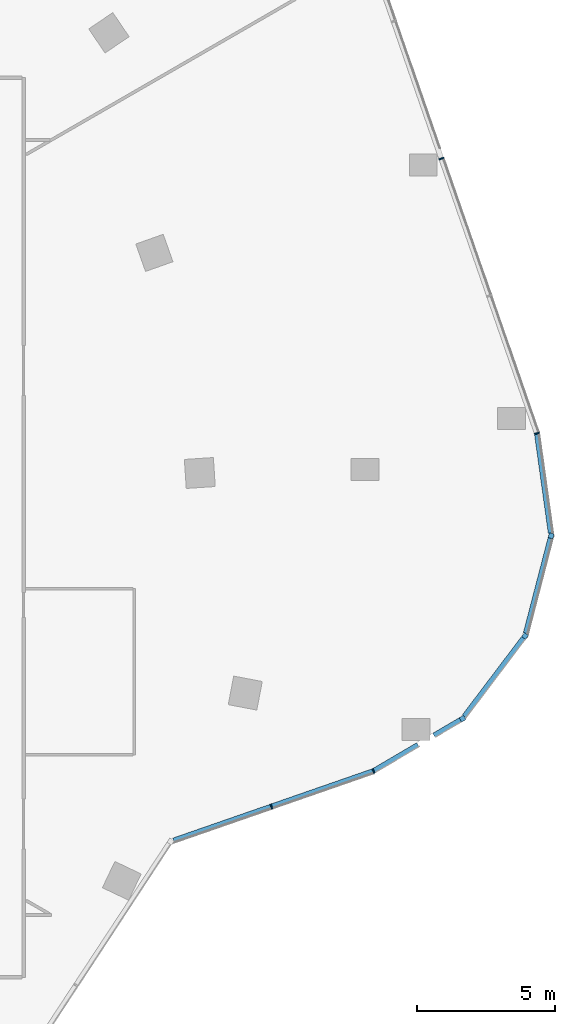
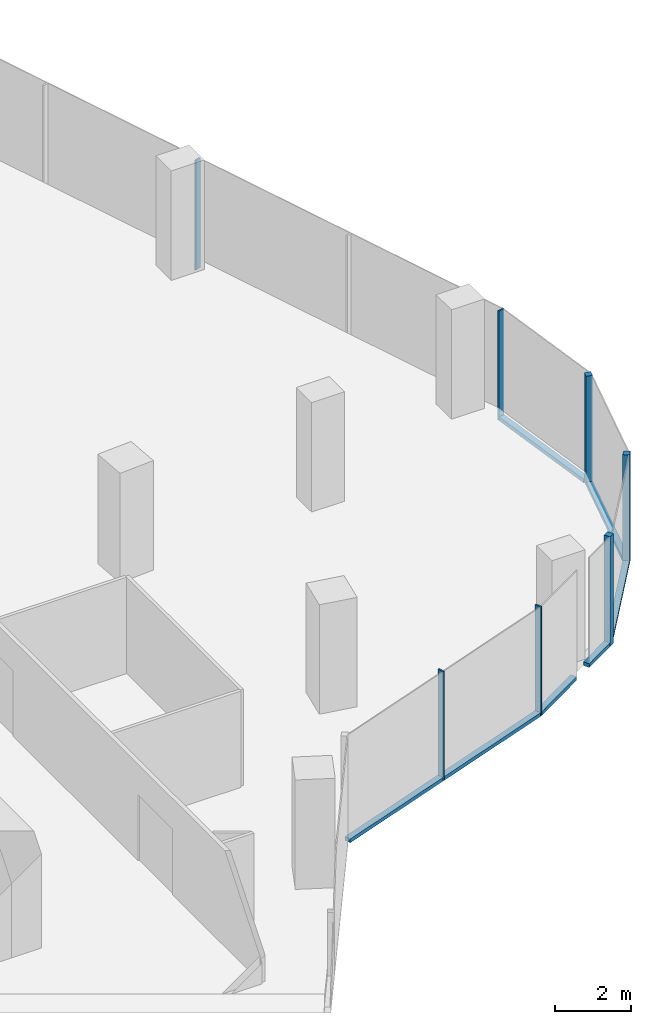
# One storey, part 8 of 24: 13 members, 6 elements without a shape of their own.
"""IFC4 building model written with IfcOpenShell, lengths in metres."""

from ifc_helpers import new_model, si_unit, direction, frame, origin, origin_2d, place, context, subcontext, project, spatial, rectangle, extrude, material, material_profile, profile_set, type_object, element, aggregate, save


model = new_model("IFC4")

# Units and contexts
model_context = context("Model", 3, precision=1e-05, world=origin(), true_north=direction((0.0, 1.0)))
body_context = subcontext(model_context, "Body", "Model", "MODEL_VIEW")
ifc_project = project(units=[si_unit("LENGTHUNIT", "METRE"), si_unit("AREAUNIT", "SQUARE_METRE"), si_unit("VOLUMEUNIT", "CUBIC_METRE"), si_unit("PLANEANGLEUNIT", "RADIAN"), si_unit("MASSUNIT", "GRAM", prefix="KILO")], contexts=[model_context])

# Site, building, storey
site_placement = place(None, origin())
site = spatial("IfcSite", under=ifc_project, at=site_placement, CompositionType="ELEMENT")
building_placement = place(site_placement, origin())
building = spatial("IfcBuilding", under=site, at=building_placement, Name="Orlundy Tower", CompositionType="ELEMENT")
storey_placement = place(building_placement, frame((0.0, 0.0, 242.5)))
storey = spatial("IfcBuildingStorey", under=building, at=storey_placement, Name="L64", CompositionType="ELEMENT", Elevation=242.5)

# Curtain wall, member
ifc_material_1 = material(Name="Aluminium bronze anodised", Category="aluminium")
curtain_wall_type = type_object("IfcCurtainWallType", Name="CW1 wall", PredefinedType="NOTDEFINED", material=ifc_material_1)
curtain_wall_1_placement = place(storey_placement, origin())
curtain_wall_1 = element("IfcCurtainWall", 1, at=curtain_wall_1_placement, inside=storey, type_object=curtain_wall_type, Name="CW1 run 025", PredefinedType="NOTDEFINED")
ifc_material_2 = material(Name="Aluminium bronze anodised", Category="aluminium")
ifc_material_profile_1 = material_profile(ifc_material_2, rectangle(XDim=0.179931640625, YDim=0.179931640625, at=origin_2d()), Name="CW1 corner post 180x180")
ifc_profile_set_1 = profile_set([ifc_material_profile_1], Name="Aluminium bronze anodised")
member_type_1 = type_object("IfcMemberType", Name="CW1 corner post 180x180", PredefinedType="MULLION", material=ifc_profile_set_1)
member_1_placement = place(storey_placement, frame((42.3046875, -0.29833984375, -0.39990234375), z_axis=(0.0, 0.0, 1.0), x_axis=(0.967797533004, -0.251729885218, 0.0)))
member_1 = element("IfcMember", 2, at=member_1_placement, type_object=member_type_1, Name="CW1 mullion 50", PredefinedType="MULLION", context=body_context, shape_type="SweptSolid", body=[
    extrude(rectangle(XDim=0.179931640625, YDim=0.179931640625, at=origin_2d()), origin(), (0.0, 0.0, 1.0), 3.5),
])

curtain_wall_2_placement = place(storey_placement, origin())
curtain_wall_2 = element("IfcCurtainWall", 3, at=curtain_wall_2_placement, inside=storey, type_object=curtain_wall_type, Name="CW1 run 026", PredefinedType="NOTDEFINED")
member_2_placement = place(storey_placement, frame((41.362548828125, -3.919921875, -0.39990234375), z_axis=(0.0, 0.0, 1.0), x_axis=(0.797630845017, -0.603145948405, 0.0)))
member_2 = element("IfcMember", 4, at=member_2_placement, type_object=member_type_1, Name="CW1 mullion 51", PredefinedType="MULLION", context=body_context, shape_type="SweptSolid", body=[
    extrude(rectangle(XDim=0.179931640625, YDim=0.179931640625, at=origin_2d()), origin(), (0.0, 0.0, 1.0), 3.5),
])

curtain_wall_3_placement = place(storey_placement, origin())
curtain_wall_3 = element("IfcCurtainWall", 5, at=curtain_wall_3_placement, inside=storey, type_object=curtain_wall_type, Name="CW1 run 027", PredefinedType="NOTDEFINED")
member_3_placement = place(storey_placement, frame((39.10498046875, -6.905517578125, -0.39990234375), z_axis=(0.0, 0.0, 1.0), x_axis=(0.506418670322, -0.862287730604, 0.0)))
member_3 = element("IfcMember", 6, at=member_3_placement, type_object=member_type_1, Name="CW1 mullion 52", PredefinedType="MULLION", context=body_context, shape_type="SweptSolid", body=[
    extrude(rectangle(XDim=0.179931640625, YDim=0.179931640625, at=origin_2d()), origin(), (0.0, 0.0, 1.0), 3.5),
])

# Curtain wall, members
curtain_wall_4_placement = place(storey_placement, origin())
curtain_wall_4 = element("IfcCurtainWall", 7, at=curtain_wall_4_placement, inside=storey, type_object=curtain_wall_type, Name="CW1 run 00", PredefinedType="NOTDEFINED")
ifc_material_3 = material(Name="Aluminium bronze anodised", Category="aluminium")
ifc_material_profile_2 = material_profile(ifc_material_3, rectangle(XDim=0.179931640625, YDim=0.050048828125, at=origin_2d()), Name="CW1 mullion 50x180")
ifc_profile_set_2 = profile_set([ifc_material_profile_2], Name="Aluminium bronze anodised")
member_type_2 = type_object("IfcMemberType", Name="CW1 mullion 50x180", PredefinedType="MULLION", material=ifc_profile_set_2)
member_4_placement = place(storey_placement, frame((35.885986328125, -8.796142578125, -0.39990234375), z_axis=(0.0, 0.0, 1.0), x_axis=(0.419347091388, -0.907825983845, 0.0)))
member_4 = element("IfcMember", 8, at=member_4_placement, type_object=member_type_2, Name="CW1 mullion 1", PredefinedType="MULLION", context=body_context, shape_type="SweptSolid", body=[
    extrude(rectangle(XDim=0.179931640625, YDim=0.050048828125, at=origin_2d()), origin(), (0.0, 0.0, 1.0), 3.5),
])
member_5_placement = place(storey_placement, frame((32.200927734375, -10.076416015625, -0.39990234375), z_axis=(0.0, 0.0, 1.0), x_axis=(0.328226635601, -0.944599002584, 0.0)))
member_5 = element("IfcMember", 9, at=member_5_placement, type_object=member_type_2, Name="CW1 mullion 2", PredefinedType="MULLION", context=body_context, shape_type="SweptSolid", body=[
    extrude(rectangle(XDim=0.179931640625, YDim=0.050048828125, at=origin_2d()), origin(), (0.0, 0.0, 1.0), 3.5),
])

# Curtain wall, member
curtain_wall_5_placement = place(storey_placement, origin())
curtain_wall_5 = element("IfcCurtainWall", 10, at=curtain_wall_5_placement, inside=storey, type_object=curtain_wall_type, Name="CW1 run 023", PredefinedType="NOTDEFINED")
member_6_placement = place(storey_placement, frame((38.340087890625, 13.32666015625, -0.39990234375), z_axis=(0.0, 0.0, 1.0), x_axis=(0.944577712924, 0.328287898416, 0.0)))
member_6 = element("IfcMember", 11, at=member_6_placement, type_object=member_type_2, Name="CW1 mullion 47", PredefinedType="MULLION", context=body_context, shape_type="SweptSolid", body=[
    extrude(rectangle(XDim=0.179931640625, YDim=0.050048828125, at=origin_2d()), origin(), (0.0, 0.0, 1.0), 3.5),
])
aggregate(curtain_wall_5, [member_6])

curtain_wall_6_placement = place(storey_placement, origin())
curtain_wall_6 = element("IfcCurtainWall", 12, at=curtain_wall_6_placement, inside=storey, type_object=curtain_wall_type, Name="CW1 run 024", PredefinedType="NOTDEFINED")
member_7_placement = place(storey_placement, frame((41.7900390625, 3.400146484375, -0.39990234375), z_axis=(0.0, 0.0, 1.0), x_axis=(0.972191666313, 0.234186600711, 0.0)))
member_7 = element("IfcMember", 13, at=member_7_placement, type_object=member_type_2, Name="CW1 mullion 49", PredefinedType="MULLION", context=body_context, shape_type="SweptSolid", body=[
    extrude(rectangle(XDim=0.179931640625, YDim=0.050048828125, at=origin_2d()), origin(), (0.0, 0.0, 1.0), 3.5),
])

# Member
ifc_material_4 = material(Name="Aluminium bronze anodised", Category="aluminium")
ifc_material_profile_3 = material_profile(ifc_material_4, rectangle(XDim=0.179931640625, YDim=0.1201171875, at=origin_2d()), Name="CW1 transom 180x120")
ifc_profile_set_3 = profile_set([ifc_material_profile_3], Name="Aluminium bronze anodised")
member_type_3 = type_object("IfcMemberType", Name="CW1 transom 180x120", PredefinedType="USERDEFINED", material=ifc_profile_set_3)
member_8_placement = place(storey_placement, frame((35.8623046875, -8.804443359375, -0.340087890625), z_axis=(-0.944607769449, -0.328201404471, 0.0), x_axis=(0.328201404471, -0.944607769449, 0.0)))
member_8 = element("IfcMember", 14, at=member_8_placement, type_object=member_type_3, Name="CW1 transom", ObjectType="TRANSOM", PredefinedType="USERDEFINED", context=body_context, shape_type="SweptSolid", body=[
    extrude(rectangle(XDim=0.179931640625, YDim=0.1201171875, at=origin_2d()), origin(), (0.0, 0.0, 1.0), 7.6240234375),
])

aggregate(curtain_wall_4, [member_4, member_5, member_8])

member_9_placement = place(storey_placement, frame((41.79345703125, 3.375244140625, -0.340087890625), z_axis=(0.137833643701, -0.990455393576, 0.0), x_axis=(0.990455393576, 0.137833643701, 0.0)))
member_9 = element("IfcMember", 15, at=member_9_placement, type_object=member_type_3, Name="CW1 transom", ObjectType="TRANSOM", PredefinedType="USERDEFINED", context=body_context, shape_type="SweptSolid", body=[
    extrude(rectangle(XDim=0.179931640625, YDim=0.1201171875, at=origin_2d()), origin(), (0.0, 0.0, 1.0), 3.611572265625),
])

aggregate(curtain_wall_6, [member_7, member_9])

member_10_placement = place(storey_placement, frame((42.281982421875, -0.385498046875, -0.340087890625), z_axis=(-0.251720057279, -0.967800089256, 0.0), x_axis=(0.967800089256, -0.251720057279, 0.0)))
member_10 = element("IfcMember", 16, at=member_10_placement, type_object=member_type_3, Name="CW1 transom", ObjectType="TRANSOM", PredefinedType="USERDEFINED", context=body_context, shape_type="SweptSolid", body=[
    extrude(rectangle(XDim=0.179931640625, YDim=0.1201171875, at=origin_2d()), origin(), (0.0, 0.0, 1.0), 3.5546875),
])

aggregate(curtain_wall_1, [member_1, member_10])

member_11_placement = place(storey_placement, frame((41.308349609375, -3.99169921875, -0.340087890625), z_axis=(-0.603126388783, -0.797645635074, 0.0), x_axis=(0.797645635074, -0.603126388783, 0.0)))
member_11 = element("IfcMember", 17, at=member_11_placement, type_object=member_type_3, Name="CW1 transom", ObjectType="TRANSOM", PredefinedType="USERDEFINED", context=body_context, shape_type="SweptSolid", body=[
    extrude(rectangle(XDim=0.179931640625, YDim=0.1201171875, at=origin_2d()), origin(), (0.0, 0.0, 1.0), 3.5556640625),
])

aggregate(curtain_wall_2, [member_2, member_11])

member_12_placement = place(storey_placement, frame((39.02734375, -6.951171875, -0.340087890625), z_axis=(-0.862262925153, -0.506460904618, 0.0), x_axis=(0.506460904618, -0.862262925153, 0.0)))
member_12 = element("IfcMember", 18, at=member_12_placement, type_object=member_type_3, Name="CW1 transom", ObjectType="TRANSOM", PredefinedType="USERDEFINED", context=body_context, shape_type="SweptSolid", body=[
    extrude(rectangle(XDim=0.179931640625, YDim=0.1201171875, at=origin_2d()), origin(), (0.0, 0.0, 1.0), 1.106689453125),
])

member_13_placement = place(storey_placement, frame((37.493408203125, -7.85205078125, -0.340087890625), z_axis=(-0.862292301074, -0.506410888023, 0.0), x_axis=(0.506410888023, -0.862292301074, 0.0)))
member_13 = element("IfcMember", 19, at=member_13_placement, type_object=member_type_3, Name="CW1 transom", ObjectType="TRANSOM", PredefinedType="USERDEFINED", context=body_context, shape_type="SweptSolid", body=[
    extrude(rectangle(XDim=0.179931640625, YDim=0.1201171875, at=origin_2d()), origin(), (0.0, 0.0, 1.0), 1.839111328125),
])

aggregate(curtain_wall_3, [member_3, member_12, member_13])

save(model, "model.ifc")
